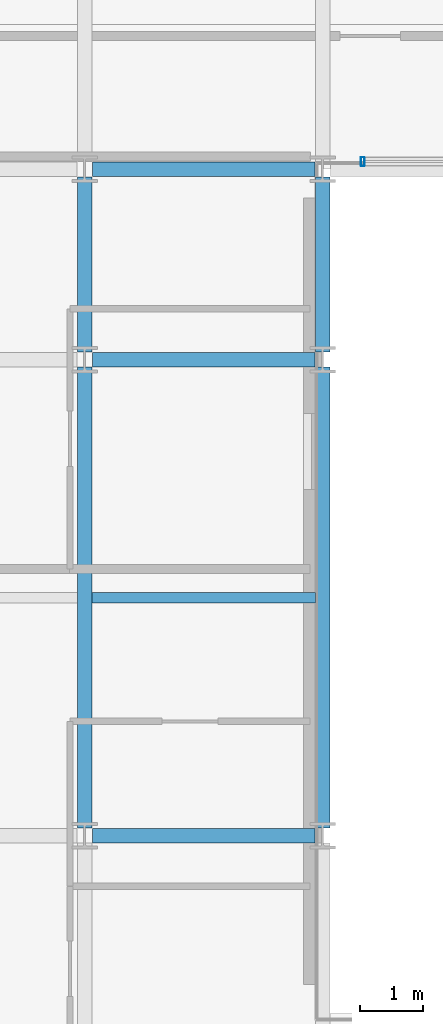
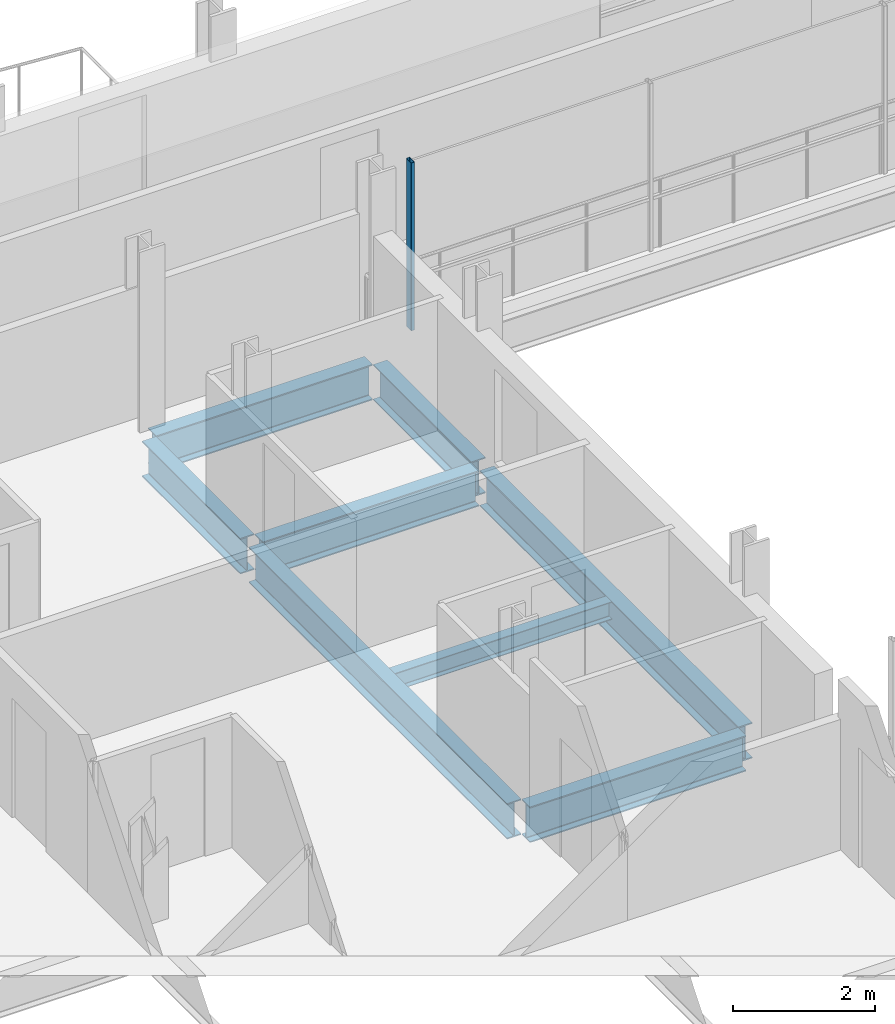
# One storey, part 8 of 39: 8 beams, 1 member, 1 element without a shape of its own.
"""IFC4 building model written with IfcOpenShell, lengths in metres."""

from ifc_helpers import new_model, si_unit, direction, frame, origin, origin_2d, place, context, subcontext, project, spatial, hollow_rectangle, i_section, extrude, material, layer, layer_set, material_profile, profile_set, type_object, element, aggregate, save


model = new_model("IFC4")

# Units and contexts
model_context = context("Model", 3, precision=1e-05, world=origin(), true_north=direction((0.0, 1.0)))
body_context = subcontext(model_context, "Body", "Model", "MODEL_VIEW")
ifc_project = project(units=[si_unit("LENGTHUNIT", "METRE"), si_unit("AREAUNIT", "SQUARE_METRE"), si_unit("VOLUMEUNIT", "CUBIC_METRE"), si_unit("PLANEANGLEUNIT", "RADIAN"), si_unit("MASSUNIT", "GRAM", prefix="KILO")], contexts=[model_context])

# Site, building, storey
site_placement = place(None, origin())
site = spatial("IfcSite", under=ifc_project, at=site_placement, CompositionType="ELEMENT")
building_placement = place(site_placement, origin())
building = spatial("IfcBuilding", under=site, at=building_placement, Name="Brevholm Reach", CompositionType="ELEMENT")
storey_placement = place(building_placement, frame((0.0, 0.0, 103.5)))
storey = spatial("IfcBuildingStorey", under=building, at=storey_placement, Name="L30", CompositionType="ELEMENT", Elevation=103.5)

# Beams
ifc_material_1 = material(Name="Structural Steel S355J2", Category="steel")
ifc_material_profile_1 = material_profile(ifc_material_1, i_section(OverallWidth=0.1650390625, OverallDepth=0.303466796875, WebThickness=0.006103515625, FlangeThickness=0.01025390625, FilletRadius=0.0087890625, at=origin_2d()), Name="UKB 305x165x40")
ifc_profile_set_1 = profile_set([ifc_material_profile_1], Name="Structural Steel S355J2")
beam_type_1 = type_object("IfcBeamType", Name="BM-B305", PredefinedType="BEAM", material=ifc_profile_set_1)
beam_1_placement = place(storey_placement, frame((18.114501953125, 19.75, -0.37158203125), z_axis=(1.0, 0.0, 0.0), x_axis=(0.0, 1.0, 0.0)))
element("IfcBeam", 1, at=beam_1_placement, inside=storey, type_object=beam_type_1, Name="L30 Composite Secondary Floor Beam", PredefinedType="BEAM", context=body_context, shape_type="SweptSolid", body=[
    extrude(i_section(OverallWidth=0.1650390625, OverallDepth=0.303466796875, WebThickness=0.006103515625, FlangeThickness=0.01025390625, FilletRadius=0.0087890625, at=origin_2d()), origin(), (0.0, 0.0, 1.0), 3.52099609375),
])
ifc_material_2 = material(Name="Structural Steel S355J2", Category="steel")
ifc_material_profile_2 = material_profile(ifc_material_2, i_section(OverallWidth=0.22900390625, OverallDepth=0.6123046875, WebThickness=0.011962890625, FlangeThickness=0.01953125, FilletRadius=0.0126953125, at=origin_2d()), Name="UKB 610x229x125")
ifc_profile_set_2 = profile_set([ifc_material_profile_2], Name="Structural Steel S355J2")
beam_type_2 = type_object("IfcBeamType", Name="BM-SP610", PredefinedType="SPANDREL", material=ifc_profile_set_2)
for number, where, z_axis, x_axis, name in (
    (2, (18.1201171875, 16.0, -0.526123046875), (1.0, 0.0, 0.0), (0.0, 1.0, 0.0), "L30 SP-01 Framing Beam"),
    (3, (18.1201171875, 23.5, -0.526123046875), (1.0, 0.0, 0.0), (0.0, 1.0, 0.0), "L30 SP-01 Framing Beam"),
    (4, (18.1201171875, 26.5, -0.526123046875), (1.0, 0.0, 0.0), (0.0, 1.0, 0.0), "L30 SP-01 Framing Beam"),
):
    element("IfcBeam", number, at=place(storey_placement, frame(where, z_axis=z_axis, x_axis=x_axis)), inside=storey, type_object=beam_type_2, Name=name, PredefinedType="SPANDREL", context=body_context, shape_type="SweptSolid", body=[
        extrude(i_section(OverallWidth=0.22900390625, OverallDepth=0.6123046875, WebThickness=0.011962890625, FlangeThickness=0.01953125, FilletRadius=0.0126953125, at=origin_2d()), origin(), (0.0, 0.0, 1.0), 3.509765625),
    ])
beam_2_placement = place(storey_placement, frame((18.0, 16.1201171875, -0.526123046875), z_axis=(0.0, 1.0, 0.0), x_axis=(-1.0, 0.0, 0.0)))
element("IfcBeam", 5, at=beam_2_placement, inside=storey, type_object=beam_type_2, Name="L30 SP-01 Framing Beam", PredefinedType="SPANDREL", context=body_context, shape_type="SweptSolid", body=[
    extrude(i_section(OverallWidth=0.22900390625, OverallDepth=0.6123046875, WebThickness=0.011962890625, FlangeThickness=0.01953125, FilletRadius=0.0126953125, at=origin_2d()), origin(), (0.0, 0.0, 1.0), 7.259765625),
])
beam_3_placement = place(storey_placement, frame((18.0, 23.6201171875, -0.526123046875), z_axis=(0.0, 1.0, 0.0), x_axis=(-1.0, 0.0, 0.0)))
element("IfcBeam", 6, at=beam_3_placement, inside=storey, type_object=beam_type_2, Name="L30 SP-01 Framing Beam", PredefinedType="SPANDREL", context=body_context, shape_type="SweptSolid", body=[
    extrude(i_section(OverallWidth=0.22900390625, OverallDepth=0.6123046875, WebThickness=0.011962890625, FlangeThickness=0.01953125, FilletRadius=0.0126953125, at=origin_2d()), origin(), (0.0, 0.0, 1.0), 2.759765625),
])
beam_4_placement = place(storey_placement, frame((21.75, 16.1201171875, -0.526123046875), z_axis=(0.0, 1.0, 0.0), x_axis=(-1.0, 0.0, 0.0)))
element("IfcBeam", 7, at=beam_4_placement, inside=storey, type_object=beam_type_2, Name="L30 SP-01 Framing Beam", PredefinedType="SPANDREL", context=body_context, shape_type="SweptSolid", body=[
    extrude(i_section(OverallWidth=0.22900390625, OverallDepth=0.6123046875, WebThickness=0.011962890625, FlangeThickness=0.01953125, FilletRadius=0.0126953125, at=origin_2d()), origin(), (0.0, 0.0, 1.0), 7.259765625),
])
beam_5_placement = place(storey_placement, frame((21.75, 23.6201171875, -0.526123046875), z_axis=(0.0, 1.0, 0.0), x_axis=(-1.0, 0.0, 0.0)))
element("IfcBeam", 8, at=beam_5_placement, inside=storey, type_object=beam_type_2, Name="L30 SP-01 Framing Beam", PredefinedType="SPANDREL", context=body_context, shape_type="SweptSolid", body=[
    extrude(i_section(OverallWidth=0.22900390625, OverallDepth=0.6123046875, WebThickness=0.011962890625, FlangeThickness=0.01953125, FilletRadius=0.0126953125, at=origin_2d()), origin(), (0.0, 0.0, 1.0), 2.759765625),
])

# Curtain wall, member
ifc_material_3 = material(Name="Dark Anodised Aluminium 6063-T6 and Solar-Control Glass", Category="aluminium")
ifc_layer = layer(ifc_material_3, 0.139892578125)
ifc_layer_set = layer_set([ifc_layer], Name="Dark Anodised Aluminium 6063-T6 and Solar-Control Glass")
curtain_wall_type = type_object("IfcCurtainWallType", Name="CW-02", PredefinedType="NOTDEFINED", material=ifc_layer_set)
curtain_wall_placement = place(storey_placement, origin())
curtain_wall = element("IfcCurtainWall", 9, at=curtain_wall_placement, inside=storey, type_object=curtain_wall_type, Name="L30 Curtain Wall CW-02", PredefinedType="NOTDEFINED")
ifc_material_4 = material(Name="Dark Anodised Aluminium 6063-T6", Category="aluminium")
ifc_material_profile_3 = material_profile(ifc_material_4, hollow_rectangle(XDim=0.06005859375, YDim=0.139892578125, WallThickness=0.0048828125, InnerFilletRadius=0.0048828125, OuterFilletRadius=0.010009765625, at=origin_2d()), Name="RHS 140x60x5")
ifc_profile_set_3 = profile_set([ifc_material_profile_3], Name="Dark Anodised Aluminium 6063-T6")
member_type = type_object("IfcMemberType", Name="CWM-140", PredefinedType="MULLION", material=ifc_profile_set_3)
member_placement = place(storey_placement, frame((22.3798828125, 26.6201171875, 0.0), z_axis=(0.0, 0.0, 1.0), x_axis=(-1.0, 0.0, 0.0)))
member = element("IfcMember", 10, at=member_placement, type_object=member_type, Name="CM-140 Mullion 5", PredefinedType="MULLION", context=body_context, shape_type="SweptSolid", body=[
    extrude(hollow_rectangle(XDim=0.06005859375, YDim=0.139892578125, WallThickness=0.0048828125, InnerFilletRadius=0.0048828125, OuterFilletRadius=0.010009765625, at=origin_2d()), origin(), (0.0, 0.0, 1.0), 2.8798828125),
])
aggregate(curtain_wall, [member])

save(model, "model.ifc")
